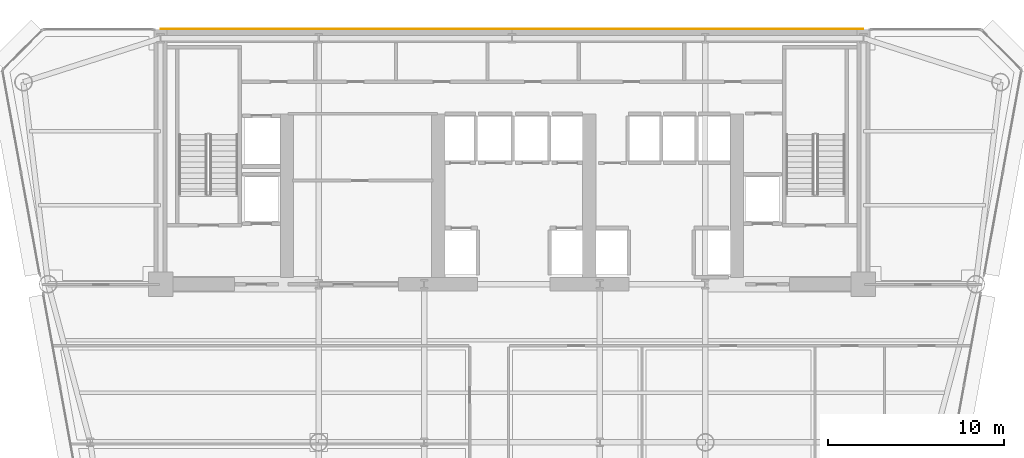
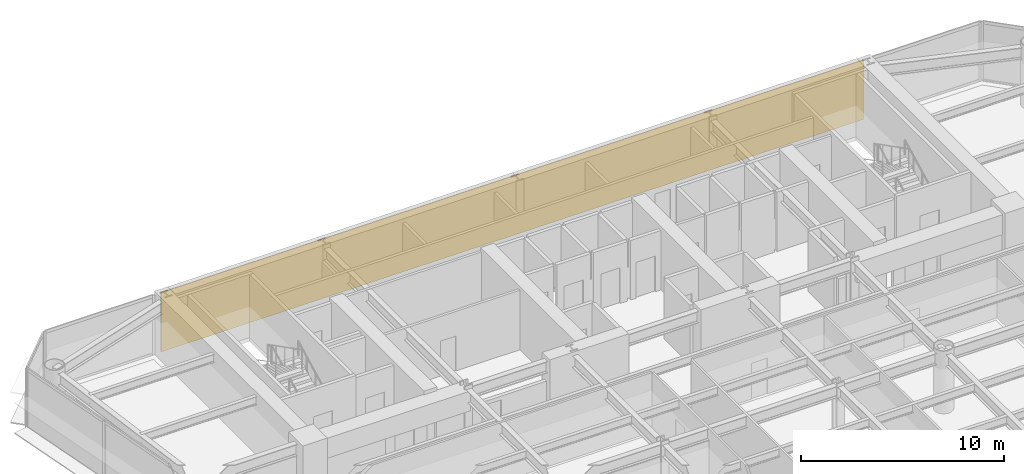
# One storey, part 13 of 14: 1 covering.
"""IFC4 building model written with IfcOpenShell, lengths in metres."""

from ifc_helpers import new_model, si_unit, direction, frame, origin, place, context, subcontext, project, spatial, polyline, outline, extrude, material, layer, layer_set, type_object, element, save


model = new_model("IFC4")

# Units and contexts
model_context = context("Model", 3, precision=1e-05, world=origin(), true_north=direction((0.0, 1.0)))
body_context = subcontext(model_context, "Body", "Model", "MODEL_VIEW")
ifc_project = project(units=[si_unit("LENGTHUNIT", "METRE"), si_unit("AREAUNIT", "SQUARE_METRE"), si_unit("VOLUMEUNIT", "CUBIC_METRE"), si_unit("PLANEANGLEUNIT", "RADIAN"), si_unit("MASSUNIT", "GRAM", prefix="KILO")], contexts=[model_context])

# Site, building, storey
site_placement = place(None, origin())
site = spatial("IfcSite", under=ifc_project, at=site_placement, CompositionType="ELEMENT")
building_placement = place(site_placement, origin())
building = spatial("IfcBuilding", under=site, at=building_placement, Name="Vaeldorn Concourse Tower", CompositionType="ELEMENT")
storey_placement = place(building_placement, frame((0.0, 0.0, 111.0)))
storey = spatial("IfcBuildingStorey", under=building, at=storey_placement, Name="L28", CompositionType="ELEMENT", Elevation=111.0)

# Covering
ifc_material = material(Name="Anodised Bronze Aluminium", Category="aluminium")
ifc_layer = layer(ifc_material, 0.050048828125)
ifc_layer_set = layer_set([ifc_layer], Name="Anodised Bronze Aluminium")
covering_type = type_object("IfcCoveringType", Name="COV-CLAD-BRONZE", PredefinedType="CLADDING", material=ifc_layer_set)
covering_placement = place(storey_placement, origin())
element("IfcCovering", 1, at=covering_placement, inside=storey, type_object=covering_type, Name="Rear Core Bronze Spandrel Cladding L28", PredefinedType="CLADDING", context=body_context, shape_type="SweptSolid", body=[
    extrude(outline(polyline([(14.0, 51.0), (54.0, 51.0), (54.0, 51.050048828125), (14.0, 51.050048828125), (14.0, 51.0)])), origin(), (0.0, 0.0, 1.0), 3.580078125),
])

save(model, "model.ifc")
